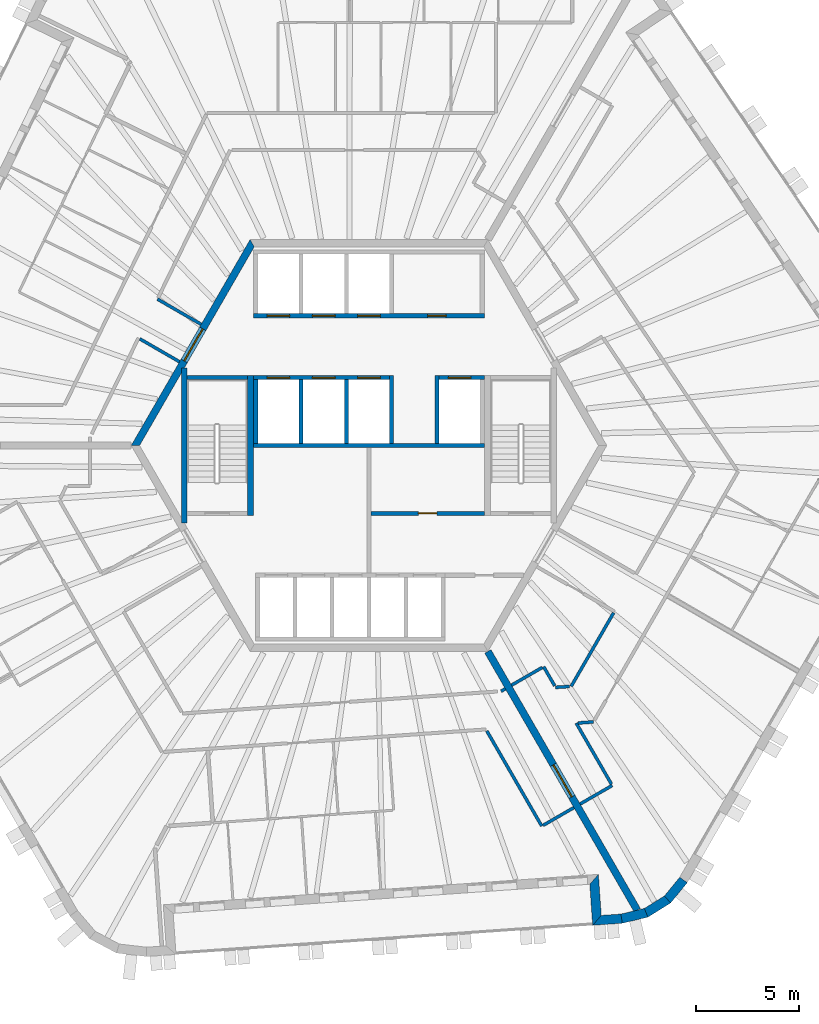
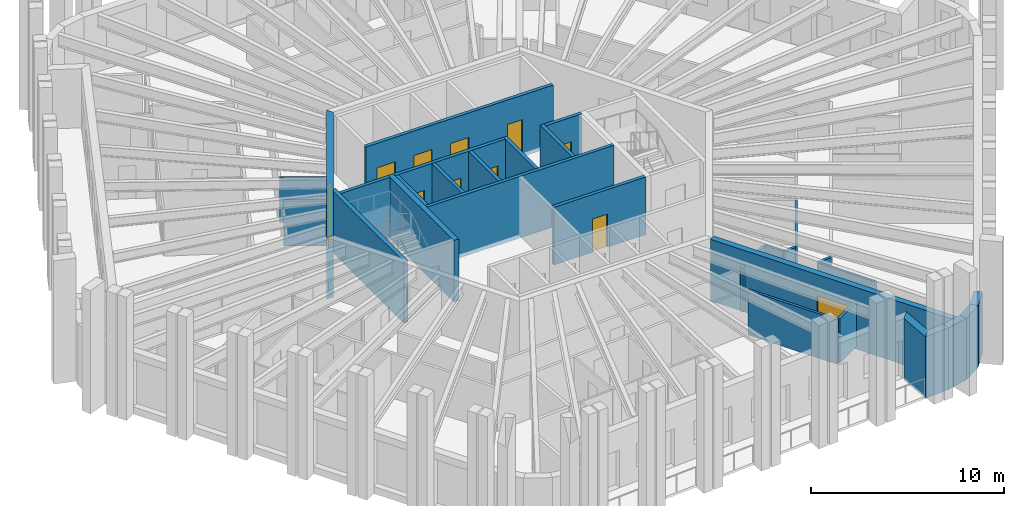
# One storey, part 5 of 12: 32 walls, 11 doors, 11 openings.
"""IFC4 building model written with IfcOpenShell, lengths in metres."""

from ifc_helpers import new_model, si_unit, direction, frame, frame_2d, origin, place, context, subcontext, project, spatial, polyline, rectangle, outline, extrude, material, layer, layer_set, type_object, element, fill, save


model = new_model("IFC4")

# Units and contexts
model_context = context("Model", 3, precision=1e-05, world=origin(), true_north=direction((0.0, 1.0)))
body_context = subcontext(model_context, "Body", "Model", "MODEL_VIEW")
ifc_project = project(units=[si_unit("LENGTHUNIT", "METRE"), si_unit("AREAUNIT", "SQUARE_METRE"), si_unit("VOLUMEUNIT", "CUBIC_METRE"), si_unit("PLANEANGLEUNIT", "RADIAN"), si_unit("MASSUNIT", "GRAM", prefix="KILO")], contexts=[model_context])

# Site, building, storey
site_placement = place(None, origin())
site = spatial("IfcSite", under=ifc_project, at=site_placement, CompositionType="ELEMENT")
building_placement = place(site_placement, origin())
building = spatial("IfcBuilding", under=site, at=building_placement, Name="Tarnside Tower", CompositionType="ELEMENT")
storey_placement = place(building_placement, frame((0.0, 0.0, 361.199951171875)))
storey = spatial("IfcBuildingStorey", under=building, at=storey_placement, Name="L87", CompositionType="ELEMENT", Elevation=361.199951171875)

# Wall, opening, door
ifc_material_1 = material(Name="Concrete C40/50", Category="concrete")
ifc_layer_1 = layer(ifc_material_1, 0.199951171875)
ifc_layer_set_1 = layer_set([ifc_layer_1], Name="Core room partition 200 C40/50")
wall_type_1 = type_object("IfcWallType", Name="Core room partition 200 C40/50", PredefinedType="PARTITIONING", material=ifc_layer_set_1)
wall_1_placement = place(storey_placement, frame((0.10009765625, -3.300048828125, 0.0), z_axis=(0.0, 0.0, 1.0), x_axis=(1.0, 0.0, 0.0)))
wall_1 = element("IfcWall", 1, at=wall_1_placement, inside=storey, type_object=wall_type_1, Name="L87 core partition R3S1", PredefinedType="PARTITIONING", context=body_context, shape_type="SweptSolid", body=[
    extrude(rectangle(XDim=5.5, YDim=0.199951171875, at=frame_2d((2.75, 0.0))), origin(), (0.0, 0.0, 1.0), 3.650146484375),
])
opening_1_placement = place(wall_1_placement, frame((2.300048828125, 0.0, 0.0)))
opening_1 = element("IfcOpeningElement", 2, at=opening_1_placement, cuts=wall_1, Name="Opening CD-room", PredefinedType="OPENING", context=body_context, shape_type="SweptSolid", body=[
    extrude(rectangle(XDim=0.89990234375, YDim=2.10009765625, at=frame_2d((0.449951171875, 1.050048828125))), frame((0.0, 0.10986328125, 0.0), z_axis=(0.0, -1.0, 0.0), x_axis=(1.0, 0.0, 0.0)), (0.0, 0.0, 1.0), 0.219970703125),
])
ifc_material_2 = material(Name="Steel fire door", Category="steel")
door_type_1 = type_object("IfcDoorType", Name="Room door FD60 900x2100", OperationType="NOTDEFINED", PredefinedType="DOOR", material=ifc_material_2)
door_1_placement = place(opening_1_placement, origin())
door_1 = element("IfcDoor", 3, at=door_1_placement, inside=storey, type_object=door_type_1, Name="L87 core room door SR1", OperationType="SINGLE_SWING_LEFT", OverallHeight=2.10009765625, OverallWidth=0.89990234375, PredefinedType="DOOR", context=body_context, shape_type="SweptSolid", body=[
    extrude(rectangle(XDim=0.89990234375, YDim=2.10009765625, at=frame_2d((0.449951171875, 1.050048828125))), frame((0.0, 0.02490234375, 0.0), z_axis=(0.0, -1.0, 0.0), x_axis=(1.0, 0.0, 0.0)), (0.0, 0.0, 1.0), 0.050048828125),
])
fill(opening_1, door_1)

ifc_material_3 = material(Name="Concrete C50/60", Category="concrete")
ifc_layer_2 = layer(ifc_material_3, 0.35009765625)
ifc_layer_set_2 = layer_set([ifc_layer_2], Name="Core wall Z4 350 C50/60")
wall_type_2 = type_object("IfcWallType", Name="Core wall Z4 350 C50/60", PredefinedType="SHEAR", material=ifc_layer_set_2)
wall_2_placement = place(storey_placement, frame((-5.672607421875, 9.824951171875, -0.14990234375), z_axis=(0.0, 0.0, 1.0), x_axis=(-0.499995046907, -0.866028263435, 0.0)))
wall_2 = element("IfcWall", 4, at=wall_2_placement, inside=storey, type_object=wall_type_2, Name="L87 core wall face 2", PredefinedType="SHEAR", context=body_context, shape_type="SweptSolid", body=[
    extrude(outline(polyline([(-0.10107421875, -0.175048828125), (11.44580078125, -0.175048828125), (11.24365234375, 0.175048828125), (0.10107421875, 0.175048828125), (-0.10107421875, -0.175048828125)])), origin(), (0.0, 0.0, 1.0), 3.89990234375),
])
opening_2_placement = place(wall_2_placement, frame((4.80126953125, 0.0, 0.14990234375)))
opening_2 = element("IfcOpeningElement", 5, at=opening_2_placement, cuts=wall_2, Name="Opening CD-LOB", PredefinedType="OPENING", context=body_context, shape_type="SweptSolid", body=[
    extrude(rectangle(XDim=1.800048828125, YDim=2.39990234375, at=frame_2d((0.89990234375, 1.199951171875))), frame((0.0, 0.18505859375, 0.0), z_axis=(0.0, -1.0, 0.0), x_axis=(1.0, 0.0, 0.0)), (0.0, 0.0, 1.0), 0.3701171875),
])
door_type_2 = type_object("IfcDoorType", Name="Lobby double door FD30S 1800x2400", OperationType="NOTDEFINED", PredefinedType="DOOR", material=ifc_material_2)
door_2_placement = place(opening_2_placement, origin())
door_2 = element("IfcDoor", 6, at=door_2_placement, inside=storey, type_object=door_type_2, Name="L87 core door P1", OperationType="DOUBLE_DOOR_SINGLE_SWING", OverallHeight=2.39990234375, OverallWidth=1.800048828125, PredefinedType="DOOR", context=body_context, shape_type="SweptSolid", body=[
    extrude(rectangle(XDim=1.800048828125, YDim=2.39990234375, at=frame_2d((0.89990234375, 1.199951171875))), frame((0.0, 0.02490234375, 0.0), z_axis=(0.0, -1.0, 0.0), x_axis=(1.0, 0.0, 0.0)), (0.0, 0.0, 1.0), 0.050048828125),
])
fill(opening_2, door_2)

wall_3_placement = place(storey_placement, frame((5.7734375, -10.0, -0.14990234375), z_axis=(0.0, 0.0, 1.0), x_axis=(0.500007911273, -0.866020836161, 0.0)))
wall_3 = element("IfcWall", 7, at=wall_3_placement, inside=storey, type_object=wall_type_2, Name="L87 spine wall 3", PredefinedType="SHEAR", context=body_context, shape_type="SweptSolid", body=[
    extrude(rectangle(XDim=14.510498046875, YDim=0.35009765625, at=frame_2d((7.25537109375, 0.0))), origin(), (0.0, 0.0, 1.0), 3.89990234375),
])
opening_3_placement = place(wall_3_placement, frame((6.355224609375, 0.0, 0.14990234375)))
opening_3 = element("IfcOpeningElement", 8, at=opening_3_placement, cuts=wall_3, Name="Opening CD-SPN", PredefinedType="OPENING", context=body_context, shape_type="SweptSolid", body=[
    extrude(rectangle(XDim=1.800048828125, YDim=2.39990234375, at=frame_2d((0.89990234375, 1.199951171875))), frame((0.0, 0.18505859375, 0.0), z_axis=(0.0, -1.0, 0.0), x_axis=(1.0, 0.0, 0.0)), (0.0, 0.0, 1.0), 0.3701171875),
])
door_type_3 = type_object("IfcDoorType", Name="Spine passage double door FD60 1800x2400", OperationType="NOTDEFINED", PredefinedType="DOOR", material=ifc_material_2)
door_3_placement = place(opening_3_placement, origin())
door_3 = element("IfcDoor", 9, at=door_3_placement, inside=storey, type_object=door_type_3, Name="L87 spine passage door 3", OperationType="DOUBLE_DOOR_SINGLE_SWING", OverallHeight=2.39990234375, OverallWidth=1.800048828125, PredefinedType="DOOR", context=body_context, shape_type="SweptSolid", body=[
    extrude(rectangle(XDim=1.800048828125, YDim=2.39990234375, at=frame_2d((0.89990234375, 1.199951171875))), frame((0.0, 0.02490234375, 0.0), z_axis=(0.0, -1.0, 0.0), x_axis=(1.0, 0.0, 0.0)), (0.0, 0.0, 1.0), 0.050048828125),
])
fill(opening_3, door_3)

# Walls
ifc_material_4 = material(Name="Gypsum board partition on steel studs", Category="steel")
ifc_layer_3 = layer(ifc_material_4, 0.14990234375)
ifc_layer_set_3 = layer_set([ifc_layer_3], Name="Corridor wall 150 EI 60")
wall_type_3 = type_object("IfcWallType", Name="Corridor wall 150 EI 60", PredefinedType="PARTITIONING", material=ifc_layer_set_3)
wall_4_placement = place(storey_placement, frame((-11.130615234375, 5.180419921875, 0.0), z_axis=(0.0, 0.0, 1.0), x_axis=(0.866037886895, -0.499978377995, 0.0)))
element("IfcWall", 10, at=wall_4_placement, inside=storey, type_object=wall_type_3, Name="Corridor wall 28019", PredefinedType="PARTITIONING", context=body_context, shape_type="SweptSolid", body=[
    extrude(rectangle(XDim=2.2294921875, YDim=0.14990234375, at=frame_2d((1.11474609375, 0.0))), origin(), (0.0, 0.0, 1.0), 2.820068359375),
])
wall_5_placement = place(storey_placement, frame((-8.149658203125, 5.88427734375, 0.0), z_axis=(0.0, 0.0, 1.0), x_axis=(-0.866009790468, 0.500027042082, 0.0)))
element("IfcWall", 11, at=wall_5_placement, inside=storey, type_object=wall_type_3, Name="Corridor wall 28020", PredefinedType="PARTITIONING", context=body_context, shape_type="SweptSolid", body=[
    extrude(rectangle(XDim=2.451416015625, YDim=0.14990234375, at=frame_2d((1.2255859375, 0.0))), origin(), (0.0, 0.0, 1.0), 2.820068359375),
])
wall_6_placement = place(storey_placement, frame((5.721435546875, -13.859619140625, 0.0), z_axis=(0.0, 0.0, 1.0), x_axis=(0.499970524249, -0.866042420948, 0.0)))
element("IfcWall", 12, at=wall_6_placement, inside=storey, type_object=wall_type_3, Name="Corridor wall 28035", PredefinedType="PARTITIONING", context=body_context, shape_type="SweptSolid", body=[
    extrude(rectangle(XDim=5.338623046875, YDim=0.14990234375, at=frame_2d((2.66943359375, 0.0))), origin(), (0.0, 0.0, 1.0), 2.820068359375),
])
wall_7_placement = place(storey_placement, frame((8.455810546875, -18.44580078125, 0.0), z_axis=(0.0, 0.0, 1.0), x_axis=(0.866013532718, 0.500020560727, 0.0)))
element("IfcWall", 13, at=wall_7_placement, inside=storey, type_object=wall_type_3, Name="Corridor wall 28036", PredefinedType="PARTITIONING", context=body_context, shape_type="SweptSolid", body=[
    extrude(rectangle(XDim=1.72509765625, YDim=0.14990234375, at=frame_2d((0.862548828125, 0.0))), origin(), (0.0, 0.0, 1.0), 2.820068359375),
])
wall_8_placement = place(storey_placement, frame((6.61865234375, -11.81396484375, 0.0), z_axis=(0.0, 0.0, 1.0), x_axis=(-0.865544827262, -0.500831460673, 0.0)))
element("IfcWall", 14, at=wall_8_placement, inside=storey, type_object=wall_type_3, Name="Corridor wall 28045", PredefinedType="PARTITIONING", context=body_context, shape_type="SweptSolid", body=[
    extrude(rectangle(XDim=0.23486328125, YDim=0.14990234375, at=frame_2d((0.117431640625, 0.0))), origin(), (0.0, 0.0, 1.0), 2.820068359375),
])
wall_9_placement = place(storey_placement, frame((10.252685546875, -17.408203125, 0.0), z_axis=(0.0, 0.0, 1.0), x_axis=(0.866047807691, 0.499961193289, 0.0)))
element("IfcWall", 15, at=wall_9_placement, inside=storey, type_object=wall_type_3, Name="Corridor wall 28049", PredefinedType="PARTITIONING", context=body_context, shape_type="SweptSolid", body=[
    extrude(rectangle(XDim=1.800048828125, YDim=0.14990234375, at=frame_2d((0.89990234375, 0.0))), origin(), (0.0, 0.0, 1.0), 2.820068359375),
])
wall_10_placement = place(storey_placement, frame((11.77392578125, -16.443359375, 0.0), z_axis=(0.0, 0.0, 1.0), x_axis=(-0.499938683108, 0.866060802215, 0.0)))
element("IfcWall", 16, at=wall_10_placement, inside=storey, type_object=wall_type_3, Name="Corridor wall 28050", PredefinedType="PARTITIONING", context=body_context, shape_type="SweptSolid", body=[
    extrude(rectangle(XDim=3.4208984375, YDim=0.14990234375, at=frame_2d((1.71044921875, 0.0))), origin(), (0.0, 0.0, 1.0), 2.820068359375),
])
wall_11_placement = place(storey_placement, frame((10.14697265625, -13.47509765625, 0.0), z_axis=(0.0, 0.0, 1.0), x_axis=(0.997549934395, 0.069958047347, 0.0)))
element("IfcWall", 17, at=wall_11_placement, inside=storey, type_object=wall_type_3, Name="Corridor wall 28051", PredefinedType="PARTITIONING", context=body_context, shape_type="SweptSolid", body=[
    extrude(rectangle(XDim=0.75390625, YDim=0.14990234375, at=frame_2d((0.376953125, 0.0))), origin(), (0.0, 0.0, 1.0), 2.820068359375),
])
wall_12_placement = place(storey_placement, frame((11.87939453125, -8.124267578125, 0.0), z_axis=(0.0, 0.0, 1.0), x_axis=(-0.500006178143, -0.866021836803, 0.0)))
element("IfcWall", 18, at=wall_12_placement, inside=storey, type_object=wall_type_3, Name="Corridor wall 28064", PredefinedType="PARTITIONING", context=body_context, shape_type="SweptSolid", body=[
    extrude(rectangle(XDim=4.12158203125, YDim=0.14990234375, at=frame_2d((2.060791015625, 0.0))), origin(), (0.0, 0.0, 1.0), 2.820068359375),
])
wall_13_placement = place(storey_placement, frame((9.728515625, -11.699951171875, 0.0), z_axis=(0.0, 0.0, 1.0), x_axis=(-0.997585124395, -0.069454442519, 0.0)))
element("IfcWall", 19, at=wall_13_placement, inside=storey, type_object=wall_type_3, Name="Corridor wall 28065", PredefinedType="PARTITIONING", context=body_context, shape_type="SweptSolid", body=[
    extrude(rectangle(XDim=0.66796875, YDim=0.14990234375, at=frame_2d((0.333984375, 0.0))), origin(), (0.0, 0.0, 1.0), 2.820068359375),
])
wall_14_placement = place(storey_placement, frame((9.020751953125, -11.674072265625, 0.0), z_axis=(0.0, 0.0, 1.0), x_axis=(-0.500126914667, 0.865952117167, 0.0)))
element("IfcWall", 20, at=wall_14_placement, inside=storey, type_object=wall_type_3, Name="Corridor wall 28066", PredefinedType="PARTITIONING", context=body_context, shape_type="SweptSolid", body=[
    extrude(rectangle(XDim=1.079833984375, YDim=0.14990234375, at=frame_2d((0.5400390625, 0.0))), origin(), (0.0, 0.0, 1.0), 2.820068359375),
])
wall_15_placement = place(storey_placement, frame((8.415771484375, -10.776611328125, 0.0), z_axis=(0.0, 0.0, 1.0), x_axis=(-0.866074815912, -0.499914405916, 0.0)))
element("IfcWall", 21, at=wall_15_placement, inside=storey, type_object=wall_type_3, Name="Corridor wall 28067", PredefinedType="PARTITIONING", context=body_context, shape_type="SweptSolid", body=[
    extrude(rectangle(XDim=1.724853515625, YDim=0.14990234375, at=frame_2d((0.8623046875, 0.0))), origin(), (0.0, 0.0, 1.0), 2.820068359375),
])

# Wall, openings, doors
ifc_layer_4 = layer(ifc_material_1, 0.199951171875)
ifc_layer_set_4 = layer_set([ifc_layer_4], Name="Lift shaft wall 200 C40/50")
wall_type_4 = type_object("IfcWallType", Name="Lift shaft wall 200 C40/50", PredefinedType="SHEAR", material=ifc_layer_set_4)
wall_16_placement = place(storey_placement, frame((-5.60009765625, 6.300048828125, -0.25), z_axis=(0.0, 0.0, 1.0), x_axis=(1.0, 0.0, 0.0)))
wall_16 = element("IfcWall", 22, at=wall_16_placement, inside=storey, type_object=wall_type_4, Name="L87 lift shaft front wall R1", PredefinedType="SHEAR", context=body_context, shape_type="SweptSolid", body=[
    extrude(rectangle(XDim=11.2001953125, YDim=0.199951171875, at=frame_2d((5.60009765625, 0.0))), origin(), (0.0, 0.0, 1.0), 3.900146484375),
])
opening_4_placement = place(wall_16_placement, frame((8.449951171875, 0.0, 0.25)))
opening_4 = element("IfcOpeningElement", 23, at=opening_4_placement, cuts=wall_16, Name="Opening CD-room", PredefinedType="OPENING", context=body_context, shape_type="SweptSolid", body=[
    extrude(rectangle(XDim=0.89990234375, YDim=2.10009765625, at=frame_2d((0.449951171875, 1.050048828125))), frame((0.0, 0.10986328125, 0.0), z_axis=(0.0, -1.0, 0.0), x_axis=(1.0, 0.0, 0.0)), (0.0, 0.0, 1.0), 0.219970703125),
])
opening_5_placement = place(wall_16_placement, frame((0.64990234375, 0.0, 0.25)))
opening_5 = element("IfcOpeningElement", 24, at=opening_5_placement, cuts=wall_16, Name="Opening LD", PredefinedType="OPENING", context=body_context, shape_type="SweptSolid", body=[
    extrude(rectangle(XDim=1.10009765625, YDim=2.10009765625, at=frame_2d((0.550048828125, 1.050048828125))), frame((0.0, 0.10986328125, 0.0), z_axis=(0.0, -1.0, 0.0), x_axis=(1.0, 0.0, 0.0)), (0.0, 0.0, 1.0), 0.219970703125),
])
opening_6_placement = place(wall_16_placement, frame((2.85009765625, 0.0, 0.25)))
opening_6 = element("IfcOpeningElement", 25, at=opening_6_placement, cuts=wall_16, Name="Opening LD", PredefinedType="OPENING", context=body_context, shape_type="SweptSolid", body=[
    extrude(rectangle(XDim=1.10009765625, YDim=2.10009765625, at=frame_2d((0.550048828125, 1.050048828125))), frame((0.0, 0.10986328125, 0.0), z_axis=(0.0, -1.0, 0.0), x_axis=(1.0, 0.0, 0.0)), (0.0, 0.0, 1.0), 0.219970703125),
])
opening_7_placement = place(wall_16_placement, frame((5.050048828125, 0.0, 0.25)))
opening_7 = element("IfcOpeningElement", 26, at=opening_7_placement, cuts=wall_16, Name="Opening LD", PredefinedType="OPENING", context=body_context, shape_type="SweptSolid", body=[
    extrude(rectangle(XDim=1.10009765625, YDim=2.10009765625, at=frame_2d((0.550048828125, 1.050048828125))), frame((0.0, 0.10986328125, 0.0), z_axis=(0.0, -1.0, 0.0), x_axis=(1.0, 0.0, 0.0)), (0.0, 0.0, 1.0), 0.219970703125),
])
ifc_material_5 = material(Name="Stainless steel", Category="steel")
door_type_4 = type_object("IfcDoorType", Name="Lift landing door 1100x2100", OperationType="NOTDEFINED", PredefinedType="DOOR", material=ifc_material_5)
door_4_placement = place(opening_5_placement, origin())
door_4 = element("IfcDoor", 27, at=door_4_placement, inside=storey, type_object=door_type_4, Name="High-rise lift 1 landing door L87", OperationType="SLIDING_TO_LEFT", OverallHeight=2.10009765625, OverallWidth=1.10009765625, PredefinedType="DOOR", context=body_context, shape_type="SweptSolid", body=[
    extrude(rectangle(XDim=1.10009765625, YDim=2.10009765625, at=frame_2d((0.550048828125, 1.050048828125))), frame((0.0, 0.02490234375, 0.0), z_axis=(0.0, -1.0, 0.0), x_axis=(1.0, 0.0, 0.0)), (0.0, 0.0, 1.0), 0.050048828125),
])
fill(opening_5, door_4)
door_5_placement = place(opening_6_placement, origin())
door_5 = element("IfcDoor", 28, at=door_5_placement, inside=storey, type_object=door_type_4, Name="High-rise lift 2 landing door L87", OperationType="SLIDING_TO_LEFT", OverallHeight=2.10009765625, OverallWidth=1.10009765625, PredefinedType="DOOR", context=body_context, shape_type="SweptSolid", body=[
    extrude(rectangle(XDim=1.10009765625, YDim=2.10009765625, at=frame_2d((0.550048828125, 1.050048828125))), frame((0.0, 0.02490234375, 0.0), z_axis=(0.0, -1.0, 0.0), x_axis=(1.0, 0.0, 0.0)), (0.0, 0.0, 1.0), 0.050048828125),
])
fill(opening_6, door_5)
door_6_placement = place(opening_7_placement, origin())
door_6 = element("IfcDoor", 29, at=door_6_placement, inside=storey, type_object=door_type_4, Name="High-rise lift 3 landing door L87", OperationType="SLIDING_TO_LEFT", OverallHeight=2.10009765625, OverallWidth=1.10009765625, PredefinedType="DOOR", context=body_context, shape_type="SweptSolid", body=[
    extrude(rectangle(XDim=1.10009765625, YDim=2.10009765625, at=frame_2d((0.550048828125, 1.050048828125))), frame((0.0, 0.02490234375, 0.0), z_axis=(0.0, -1.0, 0.0), x_axis=(1.0, 0.0, 0.0)), (0.0, 0.0, 1.0), 0.050048828125),
])
fill(opening_7, door_6)
door_7_placement = place(opening_4_placement, origin())
door_7 = element("IfcDoor", 30, at=door_7_placement, inside=storey, type_object=door_type_1, Name="L87 core room door FC1", OperationType="SINGLE_SWING_LEFT", OverallHeight=2.10009765625, OverallWidth=0.89990234375, PredefinedType="DOOR", context=body_context, shape_type="SweptSolid", body=[
    extrude(rectangle(XDim=0.89990234375, YDim=2.10009765625, at=frame_2d((0.449951171875, 1.050048828125))), frame((0.0, 0.02490234375, 0.0), z_axis=(0.0, -1.0, 0.0), x_axis=(1.0, 0.0, 0.0)), (0.0, 0.0, 1.0), 0.050048828125),
])
fill(opening_4, door_7)

wall_17_placement = place(storey_placement, frame((-5.60009765625, 3.300048828125, -0.25), z_axis=(0.0, 0.0, 1.0), x_axis=(1.0, 0.0, 0.0)))
wall_17 = element("IfcWall", 31, at=wall_17_placement, inside=storey, type_object=wall_type_4, Name="L87 lift shaft front wall R2", PredefinedType="SHEAR", context=body_context, shape_type="SweptSolid", body=[
    extrude(rectangle(XDim=6.60009765625, YDim=0.199951171875, at=frame_2d((3.300048828125, 0.0))), origin(), (0.0, 0.0, 1.0), 3.900146484375),
])
opening_8_placement = place(wall_17_placement, frame((0.64990234375, 0.0, 0.25)))
opening_8 = element("IfcOpeningElement", 32, at=opening_8_placement, cuts=wall_17, Name="Opening LD", PredefinedType="OPENING", context=body_context, shape_type="SweptSolid", body=[
    extrude(rectangle(XDim=1.10009765625, YDim=2.10009765625, at=frame_2d((0.550048828125, 1.050048828125))), frame((0.0, 0.10986328125, 0.0), z_axis=(0.0, -1.0, 0.0), x_axis=(1.0, 0.0, 0.0)), (0.0, 0.0, 1.0), 0.219970703125),
])
opening_9_placement = place(wall_17_placement, frame((2.85009765625, 0.0, 0.25)))
opening_9 = element("IfcOpeningElement", 33, at=opening_9_placement, cuts=wall_17, Name="Opening LD", PredefinedType="OPENING", context=body_context, shape_type="SweptSolid", body=[
    extrude(rectangle(XDim=1.10009765625, YDim=2.10009765625, at=frame_2d((0.550048828125, 1.050048828125))), frame((0.0, 0.10986328125, 0.0), z_axis=(0.0, -1.0, 0.0), x_axis=(1.0, 0.0, 0.0)), (0.0, 0.0, 1.0), 0.219970703125),
])
opening_10_placement = place(wall_17_placement, frame((5.050048828125, 0.0, 0.25)))
opening_10 = element("IfcOpeningElement", 34, at=opening_10_placement, cuts=wall_17, Name="Opening LD", PredefinedType="OPENING", context=body_context, shape_type="SweptSolid", body=[
    extrude(rectangle(XDim=1.10009765625, YDim=2.10009765625, at=frame_2d((0.550048828125, 1.050048828125))), frame((0.0, 0.10986328125, 0.0), z_axis=(0.0, -1.0, 0.0), x_axis=(1.0, 0.0, 0.0)), (0.0, 0.0, 1.0), 0.219970703125),
])
door_8_placement = place(opening_8_placement, origin())
door_8 = element("IfcDoor", 35, at=door_8_placement, inside=storey, type_object=door_type_4, Name="High-rise lift 4 landing door L87", OperationType="SLIDING_TO_LEFT", OverallHeight=2.10009765625, OverallWidth=1.10009765625, PredefinedType="DOOR", context=body_context, shape_type="SweptSolid", body=[
    extrude(rectangle(XDim=1.10009765625, YDim=2.10009765625, at=frame_2d((0.550048828125, 1.050048828125))), frame((0.0, 0.02490234375, 0.0), z_axis=(0.0, -1.0, 0.0), x_axis=(1.0, 0.0, 0.0)), (0.0, 0.0, 1.0), 0.050048828125),
])
fill(opening_8, door_8)
door_9_placement = place(opening_9_placement, origin())
door_9 = element("IfcDoor", 36, at=door_9_placement, inside=storey, type_object=door_type_4, Name="High-rise lift 5 landing door L87", OperationType="SLIDING_TO_LEFT", OverallHeight=2.10009765625, OverallWidth=1.10009765625, PredefinedType="DOOR", context=body_context, shape_type="SweptSolid", body=[
    extrude(rectangle(XDim=1.10009765625, YDim=2.10009765625, at=frame_2d((0.550048828125, 1.050048828125))), frame((0.0, 0.02490234375, 0.0), z_axis=(0.0, -1.0, 0.0), x_axis=(1.0, 0.0, 0.0)), (0.0, 0.0, 1.0), 0.050048828125),
])
fill(opening_9, door_9)
door_10_placement = place(opening_10_placement, origin())
door_10 = element("IfcDoor", 37, at=door_10_placement, inside=storey, type_object=door_type_4, Name="High-rise lift 6 landing door L87", OperationType="SLIDING_TO_LEFT", OverallHeight=2.10009765625, OverallWidth=1.10009765625, PredefinedType="DOOR", context=body_context, shape_type="SweptSolid", body=[
    extrude(rectangle(XDim=1.10009765625, YDim=2.10009765625, at=frame_2d((0.550048828125, 1.050048828125))), frame((0.0, 0.02490234375, 0.0), z_axis=(0.0, -1.0, 0.0), x_axis=(1.0, 0.0, 0.0)), (0.0, 0.0, 1.0), 0.050048828125),
])
fill(opening_10, door_10)

# Wall, opening, door
wall_18_placement = place(storey_placement, frame((3.39990234375, 3.300048828125, -0.25), z_axis=(0.0, 0.0, 1.0), x_axis=(1.0, 0.0, 0.0)))
wall_18 = element("IfcWall", 38, at=wall_18_placement, inside=storey, type_object=wall_type_4, Name="L87 lift shaft front wall R2 2", PredefinedType="SHEAR", context=body_context, shape_type="SweptSolid", body=[
    extrude(rectangle(XDim=2.2001953125, YDim=0.199951171875, at=frame_2d((1.10009765625, 0.0))), origin(), (0.0, 0.0, 1.0), 3.900146484375),
])
opening_11_placement = place(wall_18_placement, frame((0.449951171875, 0.0, 0.25)))
opening_11 = element("IfcOpeningElement", 39, at=opening_11_placement, cuts=wall_18, Name="Opening LD", PredefinedType="OPENING", context=body_context, shape_type="SweptSolid", body=[
    extrude(rectangle(XDim=1.10009765625, YDim=2.10009765625, at=frame_2d((0.550048828125, 1.050048828125))), frame((0.0, 0.10986328125, 0.0), z_axis=(0.0, -1.0, 0.0), x_axis=(1.0, 0.0, 0.0)), (0.0, 0.0, 1.0), 0.219970703125),
])
door_11_placement = place(opening_11_placement, origin())
door_11 = element("IfcDoor", 40, at=door_11_placement, inside=storey, type_object=door_type_4, Name="Express sky-lobby shuttle 2 landing door L87", OperationType="SLIDING_TO_LEFT", OverallHeight=2.10009765625, OverallWidth=1.10009765625, PredefinedType="DOOR", context=body_context, shape_type="SweptSolid", body=[
    extrude(rectangle(XDim=1.10009765625, YDim=2.10009765625, at=frame_2d((0.550048828125, 1.050048828125))), frame((0.0, 0.02490234375, 0.0), z_axis=(0.0, -1.0, 0.0), x_axis=(1.0, 0.0, 0.0)), (0.0, 0.0, 1.0), 0.050048828125),
])
fill(opening_11, door_11)

# Walls
wall_19_placement = place(storey_placement, frame((-5.60009765625, 0.0, -0.25), z_axis=(0.0, 0.0, 1.0), x_axis=(1.0, 0.0, 0.0)))
element("IfcWall", 41, at=wall_19_placement, inside=storey, type_object=wall_type_4, Name="L87 lift shaft back wall R2", PredefinedType="SHEAR", context=body_context, shape_type="SweptSolid", body=[
    extrude(rectangle(XDim=11.2001953125, YDim=0.199951171875, at=frame_2d((5.60009765625, 0.0))), origin(), (0.0, 0.0, 1.0), 3.900146484375),
])
for number, where, z_axis, x_axis, name in (
    (42, (-5.5, 0.10009765625, -0.25), (0.0, 0.0, 1.0), (0.0, 1.0, 0.0), "L87 lift shaft partition R21"),
    (43, (-3.300048828125, 0.10009765625, -0.25), (0.0, 0.0, 1.0), (0.0, 1.0, 0.0), "L87 lift shaft partition R22"),
    (44, (-1.10009765625, 0.10009765625, -0.25), (0.0, 0.0, 1.0), (0.0, 1.0, 0.0), "L87 lift shaft partition R23"),
):
    element("IfcWall", number, at=place(storey_placement, frame(where, z_axis=z_axis, x_axis=x_axis)), inside=storey, type_object=wall_type_4, Name=name, PredefinedType="SHEAR", context=body_context, shape_type="SweptSolid", body=[
        extrude(rectangle(XDim=3.099853515625, YDim=0.199951171875, at=frame_2d((1.5498046875, 0.0))), origin(), (0.0, 0.0, 1.0), 3.900146484375),
    ])
for number, where, z_axis, x_axis, name in (
    (45, (1.10009765625, 0.10009765625, -0.25), (0.0, 0.0, 1.0), (0.0, 1.0, 0.0), "L87 lift shaft partition R24"),
    (46, (3.300048828125, 0.10009765625, -0.25), (0.0, 0.0, 1.0), (0.0, 1.0, 0.0), "L87 lift shaft partition R25"),
):
    element("IfcWall", number, at=place(storey_placement, frame(where, z_axis=z_axis, x_axis=x_axis)), inside=storey, type_object=wall_type_4, Name=name, PredefinedType="SHEAR", context=body_context, shape_type="SweptSolid", body=[
        extrude(rectangle(XDim=3.2998046875, YDim=0.199951171875, at=frame_2d((1.64990234375, 0.0))), origin(), (0.0, 0.0, 1.0), 3.900146484375),
    ])
wall_20_placement = place(storey_placement, frame((-8.85009765625, 3.300048828125, -0.25), z_axis=(0.0, 0.0, 1.0), x_axis=(1.0, 0.0, 0.0)))
element("IfcWall", 47, at=wall_20_placement, inside=storey, type_object=wall_type_4, Name="L87 stair 2 enclosure cap wall n", PredefinedType="SHEAR", context=body_context, shape_type="SweptSolid", body=[
    extrude(rectangle(XDim=2.9501953125, YDim=0.199951171875, at=frame_2d((1.47509765625, 0.0))), origin(), (0.0, 0.0, 1.0), 3.900146484375),
])
ifc_material_6 = material(Name="Dark zinc cladding")
ifc_layer_5 = layer(ifc_material_6, 0.10205078125)
ifc_material_7 = material(Name="Concrete C60/75 precast", Category="concrete")
ifc_layer_6 = layer(ifc_material_7, 0.248046875)
ifc_material_8 = material(Name="Mineral wool insulation")
ifc_layer_7 = layer(ifc_material_8, 0.10009765625)
ifc_layer_set_5 = layer_set([ifc_layer_5, ifc_layer_6, ifc_layer_7], Name="Loggia wall 450 zinc faced")
wall_type_5 = type_object("IfcWallType", Name="Loggia wall 450 zinc faced", PredefinedType="SOLIDWALL", material=ifc_layer_set_5)
wall_21_placement = place(storey_placement, frame((10.93017578125, -21.06396484375, -0.14990234375), z_axis=(0.0, 0.0, 1.0), x_axis=(0.069702791886, -0.99756780261, 0.0)))
element("IfcWall", 48, at=wall_21_placement, inside=storey, type_object=wall_type_5, Name="Tube wall L87 F4 return 19", PredefinedType="SOLIDWALL", context=body_context, shape_type="SweptSolid", body=[
    extrude(outline(polyline([(0.224853515625, -0.22509765625), (2.22509765625, -0.22509765625), (1.77490234375, 0.22509765625), (-0.224853515625, 0.22509765625), (0.224853515625, -0.22509765625)])), origin(), (0.0, 0.0, 1.0), 3.89990234375),
])
wall_22_placement = place(storey_placement, frame((11.069580078125, -23.05908203125, -0.14990234375), z_axis=(0.0, 0.0, 1.0), x_axis=(0.997562933087, 0.069772448216, 0.0)))
element("IfcWall", 49, at=wall_22_placement, inside=storey, type_object=wall_type_5, Name="Tube wall L87 F4 stub 20", PredefinedType="SOLIDWALL", context=body_context, shape_type="SweptSolid", body=[
    extrude(outline(polyline([(-0.224853515625, -0.22509765625), (1.218505859375, -0.22509765625), (1.181884765625, 0.22509765625), (0.224853515625, 0.22509765625), (-0.224853515625, -0.22509765625)])), origin(), (0.0, 0.0, 1.0), 3.89990234375),
])
ifc_layer_8 = layer(ifc_material_1, 0.25)
ifc_layer_set_6 = layer_set([ifc_layer_8], Name="Stair enclosure wall 250 C40/50")
wall_type_6 = type_object("IfcWallType", Name="Stair enclosure wall 250 C40/50", PredefinedType="SHEAR", material=ifc_layer_set_6)
wall_23_placement = place(storey_placement, frame((-8.97509765625, -3.7548828125, -0.25), z_axis=(0.0, 0.0, 1.0), x_axis=(0.0, 1.0, 0.0)))
element("IfcWall", 50, at=wall_23_placement, inside=storey, type_object=wall_type_6, Name="L87 stair 2 enclosure wall outer", PredefinedType="SHEAR", context=body_context, shape_type="SweptSolid", body=[
    extrude(rectangle(XDim=7.509765625, YDim=0.25, at=frame_2d((3.7548828125, 0.0))), origin(), (0.0, 0.0, 1.0), 3.900146484375),
])
ifc_layer_9 = layer(ifc_material_1, 0.300048828125)
ifc_layer_set_7 = layer_set([ifc_layer_9], Name="Stair enclosure wall 300 C40/50")
wall_type_7 = type_object("IfcWallType", Name="Stair enclosure wall 300 C40/50", PredefinedType="SHEAR", material=ifc_layer_set_7)
wall_24_placement = place(storey_placement, frame((-5.75, -3.39990234375, -0.25), z_axis=(0.0, 0.0, 1.0), x_axis=(0.0, 1.0, 0.0)))
element("IfcWall", 51, at=wall_24_placement, inside=storey, type_object=wall_type_7, Name="L87 stair 2 enclosure wall inner", PredefinedType="SHEAR", context=body_context, shape_type="SweptSolid", body=[
    extrude(rectangle(XDim=6.7998046875, YDim=0.300048828125, at=frame_2d((3.39990234375, 0.0))), origin(), (0.0, 0.0, 1.0), 3.900146484375),
])
ifc_material_9 = material(Name="Facing brick", Category="masonry")
ifc_layer_10 = layer(ifc_material_9, 0.10205078125)
ifc_layer_11 = layer(ifc_material_7, 0.248046875)
ifc_layer_12 = layer(ifc_material_8, 0.10009765625)
ifc_layer_set_8 = layer_set([ifc_layer_10, ifc_layer_11, ifc_layer_12], Name="Tube wall 450 brick faced")
wall_type_8 = type_object("IfcWallType", Name="Tube wall 450 brick faced", PredefinedType="SOLIDWALL", material=ifc_layer_set_8)
wall_25_placement = place(storey_placement, frame((12.266845703125, -22.975341796875, -0.14990234375), z_axis=(0.0, 0.0, 1.0), x_axis=(0.973026131006, 0.230694924913, 0.0)))
element("IfcWall", 52, at=wall_25_placement, inside=storey, type_object=wall_type_8, Name="Tube wall L87 F4 chord 21", PredefinedType="SOLIDWALL", context=body_context, shape_type="SweptSolid", body=[
    extrude(outline(polyline([(-0.018310546875, -0.22509765625), (1.26123046875, -0.22509765625), (1.1875, 0.22509765625), (0.018310546875, 0.22509765625), (-0.018310546875, -0.22509765625)])), origin(), (0.0, 0.0, 1.0), 3.89990234375),
])
wall_26_placement = place(storey_placement, frame((13.458251953125, -22.69287109375, -0.14990234375), z_axis=(0.0, 0.0, 1.0), x_axis=(0.848009505552, 0.529981017107, 0.0)))
element("IfcWall", 53, at=wall_26_placement, inside=storey, type_object=wall_type_8, Name="Tube wall L87 F4 chord 22", PredefinedType="SOLIDWALL", context=body_context, shape_type="SweptSolid", body=[
    extrude(outline(polyline([(-0.036865234375, -0.22509765625), (1.26123046875, -0.22509765625), (1.1875, 0.22509765625), (0.036865234375, 0.22509765625), (-0.036865234375, -0.22509765625)])), origin(), (0.0, 0.0, 1.0), 3.89990234375),
])
wall_27_placement = place(storey_placement, frame((14.49658203125, -22.0439453125, -0.14990234375), z_axis=(0.0, 0.0, 1.0), x_axis=(0.633867343651, 0.773441782329, 0.0)))
element("IfcWall", 54, at=wall_27_placement, inside=storey, type_object=wall_type_8, Name="Tube wall L87 F4 chord 23", PredefinedType="SOLIDWALL", context=body_context, shape_type="SweptSolid", body=[
    extrude(outline(polyline([(-0.036865234375, -0.22509765625), (1.24267578125, -0.22509765625), (1.2060546875, 0.22509765625), (0.036865234375, 0.22509765625), (-0.036865234375, -0.22509765625)])), origin(), (0.0, 0.0, 1.0), 3.89990234375),
])

save(model, "model.ifc")
